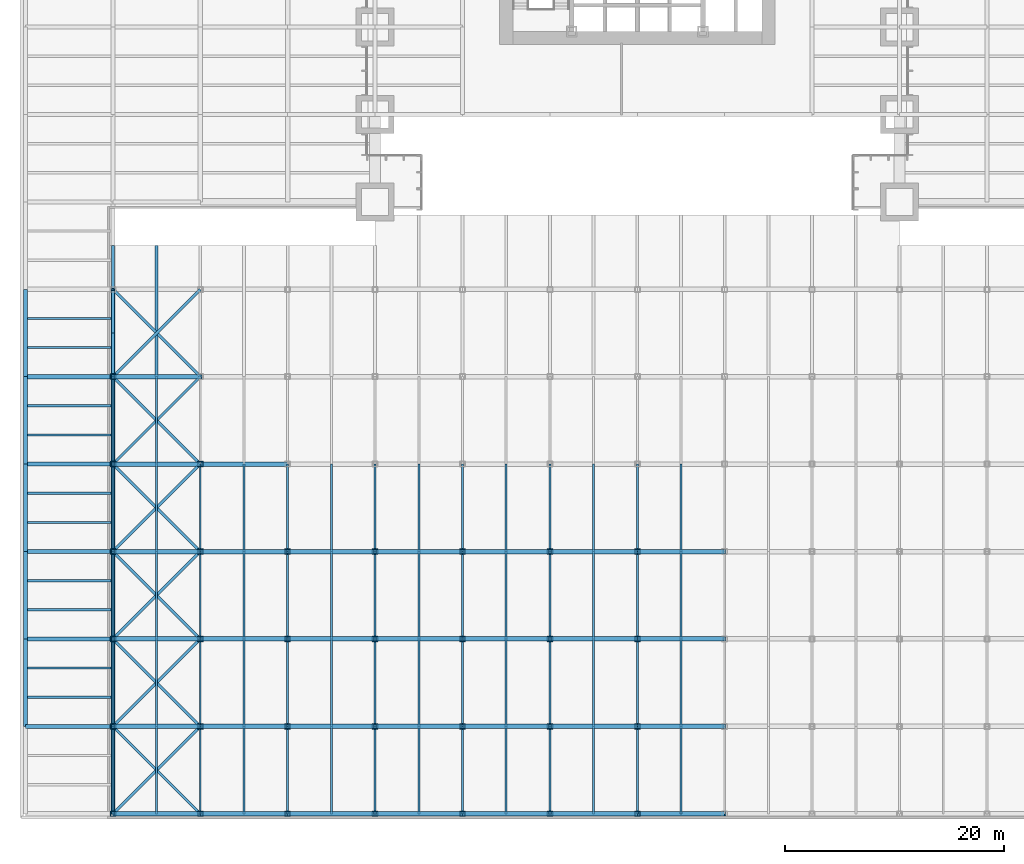
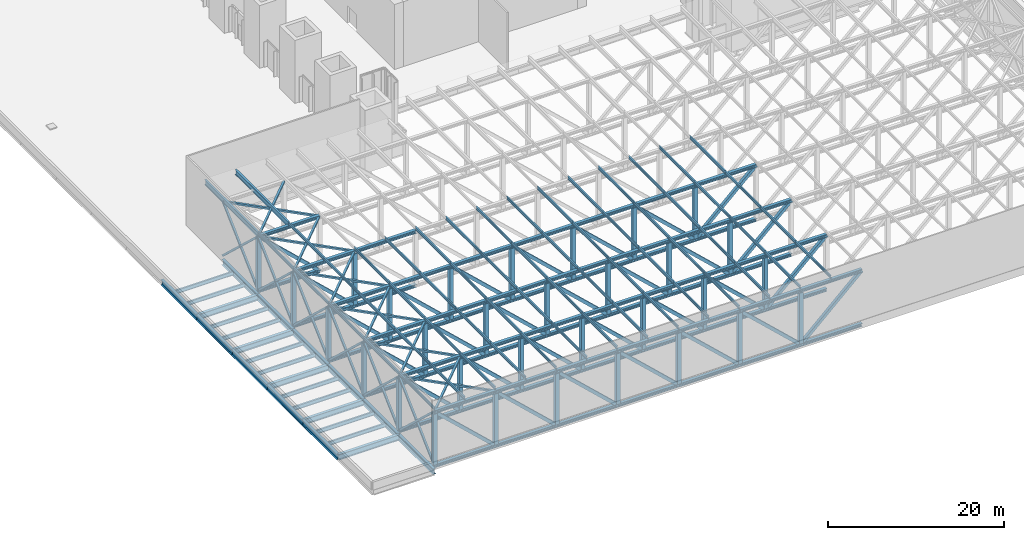
# One storey, part 2 of 20: 207 members, 26 beams.
"""IFC4 building model written with IfcOpenShell, lengths in metres."""

from ifc_helpers import new_model, si_unit, direction, frame, origin, origin_2d, place, context, subcontext, project, spatial, hollow_rectangle, i_section, extrude, material, material_profile, profile_set, type_object, element, save


model = new_model("IFC4")

# Units and contexts
model_context = context("Model", 3, precision=1e-05, world=origin(), true_north=direction((0.0, 1.0)))
body_context = subcontext(model_context, "Body", "Model", "MODEL_VIEW")
ifc_project = project(units=[si_unit("LENGTHUNIT", "METRE"), si_unit("AREAUNIT", "SQUARE_METRE"), si_unit("VOLUMEUNIT", "CUBIC_METRE"), si_unit("PLANEANGLEUNIT", "RADIAN"), si_unit("MASSUNIT", "GRAM", prefix="KILO")], contexts=[model_context])

# Site, building, storey
site_placement = place(None, origin())
site = spatial("IfcSite", under=ifc_project, at=site_placement, CompositionType="ELEMENT")
building_placement = place(site_placement, origin())
building = spatial("IfcBuilding", under=site, at=building_placement, Name="Daluyong Arena Tower", CompositionType="ELEMENT")
storey_placement = place(building_placement, frame((0.0, 0.0, 25.89990234375)))
storey = spatial("IfcBuildingStorey", under=building, at=storey_placement, Name="L05", CompositionType="ELEMENT", Elevation=25.89990234375)

# Beams
ifc_material_1 = material(Name="Steel ASTM A992 Grade 50", Category="steel")
ifc_material_profile_1 = material_profile(ifc_material_1, i_section(OverallWidth=0.209228515625, OverallDepth=0.533447265625, WebThickness=0.01025390625, FlangeThickness=0.015625, at=origin_2d()))
ifc_profile_set_1 = profile_set([ifc_material_profile_1], Name="Steel ASTM A992 Grade 50")
beam_type_1 = type_object("IfcBeamType", Name="Podium floor beam W21X62", PredefinedType="BEAM", material=ifc_profile_set_1)
for number, where, z_axis, x_axis, name in (
    (1, (0.1904296875, 10.666748046875, -0.5166015625), (1.0, 0.0, 0.0), (0.0, 1.0, 0.0), "podium floor beam PB1"),
    (2, (0.1904296875, 13.333251953125, -0.5166015625), (1.0, 0.0, 0.0), (0.0, 1.0, 0.0), "podium floor beam PB1"),
    (3, (0.1904296875, 18.666748046875, -0.5166015625), (1.0, 0.0, 0.0), (0.0, 1.0, 0.0), "podium floor beam PB1"),
    (4, (0.1904296875, 21.333251953125, -0.5166015625), (1.0, 0.0, 0.0), (0.0, 1.0, 0.0), "podium floor beam PB1"),
    (5, (0.1904296875, 26.666748046875, -0.5166015625), (1.0, 0.0, 0.0), (0.0, 1.0, 0.0), "podium floor beam PB1"),
    (6, (0.1904296875, 29.333251953125, -0.5166015625), (1.0, 0.0, 0.0), (0.0, 1.0, 0.0), "podium floor beam PB1"),
    (7, (0.1904296875, 34.666748046875, -0.5166015625), (1.0, 0.0, 0.0), (0.0, 1.0, 0.0), "podium floor beam PB1"),
    (8, (0.1904296875, 37.333251953125, -0.5166015625), (1.0, 0.0, 0.0), (0.0, 1.0, 0.0), "podium floor beam PB1"),
    (9, (0.1904296875, 42.666748046875, -0.5166015625), (1.0, 0.0, 0.0), (0.0, 1.0, 0.0), "podium floor beam PB1"),
    (10, (0.1904296875, 45.333251953125, -0.5166015625), (1.0, 0.0, 0.0), (0.0, 1.0, 0.0), "podium floor beam PB1"),
):
    element("IfcBeam", number, at=place(storey_placement, frame(where, z_axis=z_axis, x_axis=x_axis)), inside=storey, type_object=beam_type_1, Name=name, PredefinedType="BEAM", context=body_context, shape_type="SweptSolid", body=[
        extrude(i_section(OverallWidth=0.209228515625, OverallDepth=0.533447265625, WebThickness=0.01025390625, FlangeThickness=0.015625, at=origin_2d()), origin(), (0.0, 0.0, 1.0), 7.619140625),
    ])
ifc_material_2 = material(Name="Steel ASTM A992 Grade 50", Category="steel")
ifc_material_profile_2 = material_profile(ifc_material_2, i_section(OverallWidth=0.381103515625, OverallDepth=0.772216796875, WebThickness=0.0166015625, FlangeThickness=0.027099609375, at=origin_2d()))
ifc_profile_set_2 = profile_set([ifc_material_profile_2], Name="Steel ASTM A992 Grade 50")
beam_type_2 = type_object("IfcBeamType", Name="Podium girder W30X173", PredefinedType="BEAM", material=ifc_profile_set_2)
for number, where, z_axis, x_axis, name in (
    (11, (0.0, 8.0, -0.635986328125), (1.0, 0.0, 0.0), (0.0, 1.0, 0.0), "podium girder PG1"),
    (12, (0.0, 8.0, -0.635986328125), (0.0, 1.0, 0.0), (-1.0, 0.0, 0.0), "podium girder PG1"),
    (13, (0.0, 16.0, -0.635986328125), (1.0, 0.0, 0.0), (0.0, 1.0, 0.0), "podium girder PG1"),
    (14, (0.0, 16.0, -0.635986328125), (0.0, 1.0, 0.0), (-1.0, 0.0, 0.0), "podium girder PG1"),
    (15, (0.0, 24.0, -0.635986328125), (1.0, 0.0, 0.0), (0.0, 1.0, 0.0), "podium girder PG1"),
    (16, (0.0, 24.0, -0.635986328125), (0.0, 1.0, 0.0), (-1.0, 0.0, 0.0), "podium girder PG1"),
    (17, (0.0, 32.0, -0.635986328125), (1.0, 0.0, 0.0), (0.0, 1.0, 0.0), "podium girder PG1"),
    (18, (0.0, 32.0, -0.635986328125), (0.0, 1.0, 0.0), (-1.0, 0.0, 0.0), "podium girder PG1"),
    (19, (0.0, 40.0, -0.635986328125), (1.0, 0.0, 0.0), (0.0, 1.0, 0.0), "podium girder PG1"),
    (20, (0.0, 40.0, -0.635986328125), (0.0, 1.0, 0.0), (-1.0, 0.0, 0.0), "podium girder PG1"),
    (21, (8.0, 0.0, -0.635986328125), (0.0, 1.0, 0.0), (-1.0, 0.0, 0.0), "podium girder PG1"),
    (22, (8.0, 8.0, -0.635986328125), (0.0, 1.0, 0.0), (-1.0, 0.0, 0.0), "podium girder PG1"),
    (23, (8.0, 16.0, -0.635986328125), (0.0, 1.0, 0.0), (-1.0, 0.0, 0.0), "podium girder PG1"),
    (24, (8.0, 24.0, -0.635986328125), (0.0, 1.0, 0.0), (-1.0, 0.0, 0.0), "podium girder PG1"),
    (25, (8.0, 32.0, -0.635986328125), (0.0, 1.0, 0.0), (-1.0, 0.0, 0.0), "podium girder PG1"),
    (26, (8.0, 40.0, -0.635986328125), (0.0, 1.0, 0.0), (-1.0, 0.0, 0.0), "podium girder PG1"),
):
    element("IfcBeam", number, at=place(storey_placement, frame(where, z_axis=z_axis, x_axis=x_axis)), inside=storey, type_object=beam_type_2, Name=name, PredefinedType="BEAM", context=body_context, shape_type="SweptSolid", body=[
        extrude(i_section(OverallWidth=0.381103515625, OverallDepth=0.772216796875, WebThickness=0.0166015625, FlangeThickness=0.027099609375, at=origin_2d()), origin(), (0.0, 0.0, 1.0), 8.0),
    ])

# Members
ifc_material_3 = material(Name="Steel ASTM A1085", Category="steel")
ifc_material_profile_3 = material_profile(ifc_material_3, hollow_rectangle(XDim=0.25390625, YDim=0.25390625, WallThickness=0.0126953125, at=origin_2d()))
ifc_profile_set_3 = profile_set([ifc_material_profile_3], Name="Steel ASTM A1085")
member_type_1 = type_object("IfcMemberType", Name="Roof plan bracing HSS10X10X1/2", PredefinedType="BRACE", material=ifc_profile_set_3)
for number, where, z_axis, x_axis, name in (
    (27, (8.0, 0.0, 7.71728515625), (0.707106781187, 0.707106781187, 0.0), (-0.707106781187, 0.707106781187, 0.0), "roof plan bracing RX2"),
    (28, (16.0, 0.0, 7.71728515625), (-0.707106781187, 0.707106781187, 0.0), (-0.707106781187, -0.707106781187, 0.0), "roof plan bracing RX2"),
    (29, (8.0, 8.0, 7.71728515625), (0.707106781187, 0.707106781187, 0.0), (-0.707106781187, 0.707106781187, 0.0), "roof plan bracing RX2"),
    (30, (16.0, 8.0, 7.71728515625), (-0.707106781187, 0.707106781187, 0.0), (-0.707106781187, -0.707106781187, 0.0), "roof plan bracing RX2"),
    (31, (8.0, 16.0, 7.71728515625), (0.707106781187, 0.707106781187, 0.0), (-0.707106781187, 0.707106781187, 0.0), "roof plan bracing RX2"),
    (32, (16.0, 16.0, 7.71728515625), (-0.707106781187, 0.707106781187, 0.0), (-0.707106781187, -0.707106781187, 0.0), "roof plan bracing RX2"),
    (33, (8.0, 24.0, 7.71728515625), (0.707106781187, 0.707106781187, 0.0), (-0.707106781187, 0.707106781187, 0.0), "roof plan bracing RX2"),
    (34, (16.0, 24.0, 7.71728515625), (-0.707106781187, 0.707106781187, 0.0), (-0.707106781187, -0.707106781187, 0.0), "roof plan bracing RX2"),
    (35, (8.0, 32.0, 7.71728515625), (0.707106781187, 0.707106781187, 0.0), (-0.707106781187, 0.707106781187, 0.0), "roof plan bracing RX2"),
    (36, (16.0, 32.0, 7.71728515625), (-0.707106781187, 0.707106781187, 0.0), (-0.707106781187, -0.707106781187, 0.0), "roof plan bracing RX2"),
    (37, (8.0, 40.0, 7.71728515625), (0.707106781187, 0.707106781187, 0.0), (-0.707106781187, 0.707106781187, 0.0), "roof plan bracing RX2"),
    (38, (16.0, 40.0, 7.71728515625), (-0.707106781187, 0.707106781187, 0.0), (-0.707106781187, -0.707106781187, 0.0), "roof plan bracing RX2"),
):
    element("IfcMember", number, at=place(storey_placement, frame(where, z_axis=z_axis, x_axis=x_axis)), inside=storey, type_object=member_type_1, Name=name, PredefinedType="BRACE", context=body_context, shape_type="SweptSolid", body=[
        extrude(hollow_rectangle(XDim=0.25390625, YDim=0.25390625, WallThickness=0.0126953125, at=origin_2d()), origin(), (0.0, 0.0, 1.0), 11.313720703125),
    ])
ifc_material_4 = material(Name="Steel ASTM A992 Grade 50", Category="steel")
ifc_material_profile_4 = material_profile(ifc_material_4, i_section(OverallWidth=0.177734375, OverallDepth=0.406494140625, WebThickness=0.0078125, FlangeThickness=0.012939453125, at=origin_2d()))
ifc_profile_set_4 = profile_set([ifc_material_profile_4], Name="Steel ASTM A992 Grade 50")
member_type_2 = type_object("IfcMemberType", Name="Roof purlin W16X40", PredefinedType="PURLIN", material=ifc_profile_set_4)
for number, where, z_axis, x_axis, name in (
    (39, (8.0, 0.0, 8.1376953125), (0.0, 1.0, 0.0), (-1.0, 0.0, 0.0), "roof purlin RP1"),
    (40, (12.0, 0.0, 8.1376953125), (0.0, 1.0, 0.0), (-1.0, 0.0, 0.0), "roof purlin RP1"),
    (41, (16.0, 0.0, 8.1376953125), (0.0, 1.0, 0.0), (-1.0, 0.0, 0.0), "roof purlin RP1"),
    (42, (20.0, 0.0, 8.1376953125), (0.0, 1.0, 0.0), (-1.0, 0.0, 0.0), "roof purlin RP1"),
    (43, (24.0, 0.0, 8.1376953125), (0.0, 1.0, 0.0), (-1.0, 0.0, 0.0), "roof purlin RP1"),
    (44, (28.0, 0.0, 8.1376953125), (0.0, 1.0, 0.0), (-1.0, 0.0, 0.0), "roof purlin RP1"),
    (45, (32.0, 0.0, 8.1376953125), (0.0, 1.0, 0.0), (-1.0, 0.0, 0.0), "roof purlin RP1"),
    (46, (36.0, 0.0, 8.1376953125), (0.0, 1.0, 0.0), (-1.0, 0.0, 0.0), "roof purlin RP1"),
    (47, (40.0, 0.0, 8.1376953125), (0.0, 1.0, 0.0), (-1.0, 0.0, 0.0), "roof purlin RP1"),
    (48, (44.0, 0.0, 8.1376953125), (0.0, 1.0, 0.0), (-1.0, 0.0, 0.0), "roof purlin RP1"),
    (49, (48.0, 0.0, 8.1376953125), (0.0, 1.0, 0.0), (-1.0, 0.0, 0.0), "roof purlin RP1"),
    (50, (52.0, 0.0, 8.1376953125), (0.0, 1.0, 0.0), (-1.0, 0.0, 0.0), "roof purlin RP1"),
    (51, (56.0, 0.0, 8.1376953125), (0.0, 1.0, 0.0), (-1.0, 0.0, 0.0), "roof purlin RP1"),
    (52, (60.0, 0.0, 8.1376953125), (0.0, 1.0, 0.0), (-1.0, 0.0, 0.0), "roof purlin RP1"),
    (53, (8.0, 8.0, 8.1376953125), (0.0, 1.0, 0.0), (-1.0, 0.0, 0.0), "roof purlin RP1"),
    (54, (12.0, 8.0, 8.1376953125), (0.0, 1.0, 0.0), (-1.0, 0.0, 0.0), "roof purlin RP1"),
    (55, (16.0, 8.0, 8.1376953125), (0.0, 1.0, 0.0), (-1.0, 0.0, 0.0), "roof purlin RP1"),
    (56, (20.0, 8.0, 8.1376953125), (0.0, 1.0, 0.0), (-1.0, 0.0, 0.0), "roof purlin RP1"),
    (57, (24.0, 8.0, 8.1376953125), (0.0, 1.0, 0.0), (-1.0, 0.0, 0.0), "roof purlin RP1"),
    (58, (28.0, 8.0, 8.1376953125), (0.0, 1.0, 0.0), (-1.0, 0.0, 0.0), "roof purlin RP1"),
    (59, (32.0, 8.0, 8.1376953125), (0.0, 1.0, 0.0), (-1.0, 0.0, 0.0), "roof purlin RP1"),
    (60, (36.0, 8.0, 8.1376953125), (0.0, 1.0, 0.0), (-1.0, 0.0, 0.0), "roof purlin RP1"),
    (61, (40.0, 8.0, 8.1376953125), (0.0, 1.0, 0.0), (-1.0, 0.0, 0.0), "roof purlin RP1"),
    (62, (44.0, 8.0, 8.1376953125), (0.0, 1.0, 0.0), (-1.0, 0.0, 0.0), "roof purlin RP1"),
    (63, (48.0, 8.0, 8.1376953125), (0.0, 1.0, 0.0), (-1.0, 0.0, 0.0), "roof purlin RP1"),
    (64, (52.0, 8.0, 8.1376953125), (0.0, 1.0, 0.0), (-1.0, 0.0, 0.0), "roof purlin RP1"),
    (65, (56.0, 8.0, 8.1376953125), (0.0, 1.0, 0.0), (-1.0, 0.0, 0.0), "roof purlin RP1"),
    (66, (60.0, 8.0, 8.1376953125), (0.0, 1.0, 0.0), (-1.0, 0.0, 0.0), "roof purlin RP1"),
    (67, (8.0, 16.0, 8.1376953125), (0.0, 1.0, 0.0), (-1.0, 0.0, 0.0), "roof purlin RP1"),
    (68, (12.0, 16.0, 8.1376953125), (0.0, 1.0, 0.0), (-1.0, 0.0, 0.0), "roof purlin RP1"),
    (69, (16.0, 16.0, 8.1376953125), (0.0, 1.0, 0.0), (-1.0, 0.0, 0.0), "roof purlin RP1"),
    (70, (20.0, 16.0, 8.1376953125), (0.0, 1.0, 0.0), (-1.0, 0.0, 0.0), "roof purlin RP1"),
    (71, (24.0, 16.0, 8.1376953125), (0.0, 1.0, 0.0), (-1.0, 0.0, 0.0), "roof purlin RP1"),
    (72, (28.0, 16.0, 8.1376953125), (0.0, 1.0, 0.0), (-1.0, 0.0, 0.0), "roof purlin RP1"),
    (73, (32.0, 16.0, 8.1376953125), (0.0, 1.0, 0.0), (-1.0, 0.0, 0.0), "roof purlin RP1"),
    (74, (36.0, 16.0, 8.1376953125), (0.0, 1.0, 0.0), (-1.0, 0.0, 0.0), "roof purlin RP1"),
    (75, (40.0, 16.0, 8.1376953125), (0.0, 1.0, 0.0), (-1.0, 0.0, 0.0), "roof purlin RP1"),
    (76, (44.0, 16.0, 8.1376953125), (0.0, 1.0, 0.0), (-1.0, 0.0, 0.0), "roof purlin RP1"),
    (77, (48.0, 16.0, 8.1376953125), (0.0, 1.0, 0.0), (-1.0, 0.0, 0.0), "roof purlin RP1"),
    (78, (52.0, 16.0, 8.1376953125), (0.0, 1.0, 0.0), (-1.0, 0.0, 0.0), "roof purlin RP1"),
    (79, (56.0, 16.0, 8.1376953125), (0.0, 1.0, 0.0), (-1.0, 0.0, 0.0), "roof purlin RP1"),
    (80, (60.0, 16.0, 8.1376953125), (0.0, 1.0, 0.0), (-1.0, 0.0, 0.0), "roof purlin RP1"),
    (81, (8.0, 24.0, 8.1376953125), (0.0, 1.0, 0.0), (-1.0, 0.0, 0.0), "roof purlin RP1"),
    (82, (12.0, 24.0, 8.1376953125), (0.0, 1.0, 0.0), (-1.0, 0.0, 0.0), "roof purlin RP1"),
    (83, (16.0, 24.0, 8.1376953125), (0.0, 1.0, 0.0), (-1.0, 0.0, 0.0), "roof purlin RP1"),
    (84, (20.0, 24.0, 8.1376953125), (0.0, 1.0, 0.0), (-1.0, 0.0, 0.0), "roof purlin RP1"),
    (85, (24.0, 24.0, 8.1376953125), (0.0, 1.0, 0.0), (-1.0, 0.0, 0.0), "roof purlin RP1"),
    (86, (28.0, 24.0, 8.1376953125), (0.0, 1.0, 0.0), (-1.0, 0.0, 0.0), "roof purlin RP1"),
    (87, (32.0, 24.0, 8.1376953125), (0.0, 1.0, 0.0), (-1.0, 0.0, 0.0), "roof purlin RP1"),
    (88, (36.0, 24.0, 8.1376953125), (0.0, 1.0, 0.0), (-1.0, 0.0, 0.0), "roof purlin RP1"),
    (89, (40.0, 24.0, 8.1376953125), (0.0, 1.0, 0.0), (-1.0, 0.0, 0.0), "roof purlin RP1"),
    (90, (44.0, 24.0, 8.1376953125), (0.0, 1.0, 0.0), (-1.0, 0.0, 0.0), "roof purlin RP1"),
    (91, (48.0, 24.0, 8.1376953125), (0.0, 1.0, 0.0), (-1.0, 0.0, 0.0), "roof purlin RP1"),
    (92, (52.0, 24.0, 8.1376953125), (0.0, 1.0, 0.0), (-1.0, 0.0, 0.0), "roof purlin RP1"),
    (93, (56.0, 24.0, 8.1376953125), (0.0, 1.0, 0.0), (-1.0, 0.0, 0.0), "roof purlin RP1"),
    (94, (60.0, 24.0, 8.1376953125), (0.0, 1.0, 0.0), (-1.0, 0.0, 0.0), "roof purlin RP1"),
    (95, (8.0, 32.0, 8.1376953125), (0.0, 1.0, 0.0), (-1.0, 0.0, 0.0), "roof purlin RP1"),
    (96, (12.0, 32.0, 8.1376953125), (0.0, 1.0, 0.0), (-1.0, 0.0, 0.0), "roof purlin RP1"),
):
    element("IfcMember", number, at=place(storey_placement, frame(where, z_axis=z_axis, x_axis=x_axis)), inside=storey, type_object=member_type_2, Name=name, PredefinedType="PURLIN", context=body_context, shape_type="SweptSolid", body=[
        extrude(i_section(OverallWidth=0.177734375, OverallDepth=0.406494140625, WebThickness=0.0078125, FlangeThickness=0.012939453125, at=origin_2d()), origin(), (0.0, 0.0, 1.0), 8.0),
    ])
ifc_material_5 = material(Name="Steel ASTM A992 Grade 50", Category="steel")
ifc_material_profile_5 = material_profile(ifc_material_5, i_section(OverallWidth=0.25390625, OverallDepth=0.683349609375, WebThickness=0.012451171875, FlangeThickness=0.01904296875, at=origin_2d()))
ifc_profile_set_5 = profile_set([ifc_material_profile_5], Name="Steel ASTM A992 Grade 50")
member_type_3 = type_object("IfcMemberType", Name="Roof purlin W27X94", PredefinedType="PURLIN", material=ifc_profile_set_5)
for number, where, z_axis, x_axis, name in (
    (97, (8.0, 40.0, 7.999267578125), (0.0, 1.0, 0.0), (-1.0, 0.0, 0.0), "roof purlin RP2"),
    (98, (12.0, 40.0, 7.999267578125), (0.0, 1.0, 0.0), (-1.0, 0.0, 0.0), "roof purlin RP2"),
):
    element("IfcMember", number, at=place(storey_placement, frame(where, z_axis=z_axis, x_axis=x_axis)), inside=storey, type_object=member_type_3, Name=name, PredefinedType="PURLIN", context=body_context, shape_type="SweptSolid", body=[
        extrude(i_section(OverallWidth=0.25390625, OverallDepth=0.683349609375, WebThickness=0.012451171875, FlangeThickness=0.01904296875, at=origin_2d()), origin(), (0.0, 0.0, 1.0), 12.0),
    ])
ifc_material_6 = material(Name="Steel ASTM A992 Grade 50", Category="steel")
ifc_material_profile_6 = material_profile(ifc_material_6, i_section(OverallWidth=0.411376953125, OverallDepth=0.434326171875, WebThickness=0.035888671875, FlangeThickness=0.057373046875, at=origin_2d()))
ifc_profile_set_6 = profile_set([ifc_material_profile_6], Name="Steel ASTM A992 Grade 50")
member_type_4 = type_object("IfcMemberType", Name="Roof truss chord W14X311", PredefinedType="CHORD", material=ifc_profile_set_6)
for number, where, z_axis, x_axis, name in (
    (99, (8.0, 0.0, 0.21728515625), (1.0, 0.0, 0.0), (0.0, 1.0, 0.0), "roof truss chord RT1"),
    (100, (16.0, 0.0, 0.21728515625), (1.0, 0.0, 0.0), (0.0, 1.0, 0.0), "roof truss chord RT1"),
    (101, (24.0, 0.0, 0.21728515625), (1.0, 0.0, 0.0), (0.0, 1.0, 0.0), "roof truss chord RT1"),
    (102, (32.0, 0.0, 0.21728515625), (1.0, 0.0, 0.0), (0.0, 1.0, 0.0), "roof truss chord RT1"),
    (103, (40.0, 0.0, 0.21728515625), (1.0, 0.0, 0.0), (0.0, 1.0, 0.0), "roof truss chord RT1"),
    (104, (48.0, 0.0, 0.21728515625), (1.0, 0.0, 0.0), (0.0, 1.0, 0.0), "roof truss chord RT1"),
    (105, (56.0, 0.0, 0.21728515625), (1.0, 0.0, 0.0), (0.0, 1.0, 0.0), "roof truss chord RT1"),
    (106, (8.0, 0.0, 7.71728515625), (1.0, 0.0, 0.0), (0.0, 1.0, 0.0), "roof truss chord RT1"),
    (107, (16.0, 0.0, 7.71728515625), (1.0, 0.0, 0.0), (0.0, 1.0, 0.0), "roof truss chord RT1"),
    (108, (24.0, 0.0, 7.71728515625), (1.0, 0.0, 0.0), (0.0, 1.0, 0.0), "roof truss chord RT1"),
    (109, (32.0, 0.0, 7.71728515625), (1.0, 0.0, 0.0), (0.0, 1.0, 0.0), "roof truss chord RT1"),
    (110, (40.0, 0.0, 7.71728515625), (1.0, 0.0, 0.0), (0.0, 1.0, 0.0), "roof truss chord RT1"),
    (111, (48.0, 0.0, 7.71728515625), (1.0, 0.0, 0.0), (0.0, 1.0, 0.0), "roof truss chord RT1"),
    (112, (56.0, 0.0, 7.71728515625), (1.0, 0.0, 0.0), (0.0, 1.0, 0.0), "roof truss chord RT1"),
    (113, (8.0, 8.0, 0.21728515625), (1.0, 0.0, 0.0), (0.0, 1.0, 0.0), "roof truss chord RT1"),
    (114, (16.0, 8.0, 0.21728515625), (1.0, 0.0, 0.0), (0.0, 1.0, 0.0), "roof truss chord RT1"),
    (115, (24.0, 8.0, 0.21728515625), (1.0, 0.0, 0.0), (0.0, 1.0, 0.0), "roof truss chord RT1"),
    (116, (32.0, 8.0, 0.21728515625), (1.0, 0.0, 0.0), (0.0, 1.0, 0.0), "roof truss chord RT1"),
    (117, (40.0, 8.0, 0.21728515625), (1.0, 0.0, 0.0), (0.0, 1.0, 0.0), "roof truss chord RT1"),
    (118, (48.0, 8.0, 0.21728515625), (1.0, 0.0, 0.0), (0.0, 1.0, 0.0), "roof truss chord RT1"),
    (119, (56.0, 8.0, 0.21728515625), (1.0, 0.0, 0.0), (0.0, 1.0, 0.0), "roof truss chord RT1"),
    (120, (8.0, 8.0, 7.71728515625), (1.0, 0.0, 0.0), (0.0, 1.0, 0.0), "roof truss chord RT1"),
    (121, (16.0, 8.0, 7.71728515625), (1.0, 0.0, 0.0), (0.0, 1.0, 0.0), "roof truss chord RT1"),
    (122, (24.0, 8.0, 7.71728515625), (1.0, 0.0, 0.0), (0.0, 1.0, 0.0), "roof truss chord RT1"),
    (123, (32.0, 8.0, 7.71728515625), (1.0, 0.0, 0.0), (0.0, 1.0, 0.0), "roof truss chord RT1"),
    (124, (40.0, 8.0, 7.71728515625), (1.0, 0.0, 0.0), (0.0, 1.0, 0.0), "roof truss chord RT1"),
    (125, (48.0, 8.0, 7.71728515625), (1.0, 0.0, 0.0), (0.0, 1.0, 0.0), "roof truss chord RT1"),
    (126, (56.0, 8.0, 7.71728515625), (1.0, 0.0, 0.0), (0.0, 1.0, 0.0), "roof truss chord RT1"),
    (127, (8.0, 16.0, 0.21728515625), (1.0, 0.0, 0.0), (0.0, 1.0, 0.0), "roof truss chord RT1"),
    (128, (16.0, 16.0, 0.21728515625), (1.0, 0.0, 0.0), (0.0, 1.0, 0.0), "roof truss chord RT1"),
    (129, (24.0, 16.0, 0.21728515625), (1.0, 0.0, 0.0), (0.0, 1.0, 0.0), "roof truss chord RT1"),
    (130, (32.0, 16.0, 0.21728515625), (1.0, 0.0, 0.0), (0.0, 1.0, 0.0), "roof truss chord RT1"),
    (131, (40.0, 16.0, 0.21728515625), (1.0, 0.0, 0.0), (0.0, 1.0, 0.0), "roof truss chord RT1"),
    (132, (48.0, 16.0, 0.21728515625), (1.0, 0.0, 0.0), (0.0, 1.0, 0.0), "roof truss chord RT1"),
    (133, (56.0, 16.0, 0.21728515625), (1.0, 0.0, 0.0), (0.0, 1.0, 0.0), "roof truss chord RT1"),
    (134, (8.0, 16.0, 7.71728515625), (1.0, 0.0, 0.0), (0.0, 1.0, 0.0), "roof truss chord RT1"),
    (135, (16.0, 16.0, 7.71728515625), (1.0, 0.0, 0.0), (0.0, 1.0, 0.0), "roof truss chord RT1"),
    (136, (24.0, 16.0, 7.71728515625), (1.0, 0.0, 0.0), (0.0, 1.0, 0.0), "roof truss chord RT1"),
    (137, (32.0, 16.0, 7.71728515625), (1.0, 0.0, 0.0), (0.0, 1.0, 0.0), "roof truss chord RT1"),
    (138, (40.0, 16.0, 7.71728515625), (1.0, 0.0, 0.0), (0.0, 1.0, 0.0), "roof truss chord RT1"),
    (139, (48.0, 16.0, 7.71728515625), (1.0, 0.0, 0.0), (0.0, 1.0, 0.0), "roof truss chord RT1"),
    (140, (56.0, 16.0, 7.71728515625), (1.0, 0.0, 0.0), (0.0, 1.0, 0.0), "roof truss chord RT1"),
    (141, (8.0, 24.0, 0.21728515625), (1.0, 0.0, 0.0), (0.0, 1.0, 0.0), "roof truss chord RT1"),
    (142, (16.0, 24.0, 0.21728515625), (1.0, 0.0, 0.0), (0.0, 1.0, 0.0), "roof truss chord RT1"),
    (143, (24.0, 24.0, 0.21728515625), (1.0, 0.0, 0.0), (0.0, 1.0, 0.0), "roof truss chord RT1"),
    (144, (32.0, 24.0, 0.21728515625), (1.0, 0.0, 0.0), (0.0, 1.0, 0.0), "roof truss chord RT1"),
    (145, (40.0, 24.0, 0.21728515625), (1.0, 0.0, 0.0), (0.0, 1.0, 0.0), "roof truss chord RT1"),
    (146, (48.0, 24.0, 0.21728515625), (1.0, 0.0, 0.0), (0.0, 1.0, 0.0), "roof truss chord RT1"),
    (147, (56.0, 24.0, 0.21728515625), (1.0, 0.0, 0.0), (0.0, 1.0, 0.0), "roof truss chord RT1"),
    (148, (8.0, 24.0, 7.71728515625), (1.0, 0.0, 0.0), (0.0, 1.0, 0.0), "roof truss chord RT1"),
    (149, (16.0, 24.0, 7.71728515625), (1.0, 0.0, 0.0), (0.0, 1.0, 0.0), "roof truss chord RT1"),
    (150, (24.0, 24.0, 7.71728515625), (1.0, 0.0, 0.0), (0.0, 1.0, 0.0), "roof truss chord RT1"),
    (151, (32.0, 24.0, 7.71728515625), (1.0, 0.0, 0.0), (0.0, 1.0, 0.0), "roof truss chord RT1"),
    (152, (40.0, 24.0, 7.71728515625), (1.0, 0.0, 0.0), (0.0, 1.0, 0.0), "roof truss chord RT1"),
    (153, (48.0, 24.0, 7.71728515625), (1.0, 0.0, 0.0), (0.0, 1.0, 0.0), "roof truss chord RT1"),
    (154, (56.0, 24.0, 7.71728515625), (1.0, 0.0, 0.0), (0.0, 1.0, 0.0), "roof truss chord RT1"),
    (155, (8.0, 32.0, 0.21728515625), (1.0, 0.0, 0.0), (0.0, 1.0, 0.0), "roof truss chord RT1"),
    (156, (16.0, 32.0, 0.21728515625), (1.0, 0.0, 0.0), (0.0, 1.0, 0.0), "roof truss chord RT1"),
    (157, (8.0, 32.0, 7.71728515625), (1.0, 0.0, 0.0), (0.0, 1.0, 0.0), "roof truss chord RT1"),
    (158, (16.0, 32.0, 7.71728515625), (1.0, 0.0, 0.0), (0.0, 1.0, 0.0), "roof truss chord RT1"),
    (159, (8.0, 40.0, 0.21728515625), (1.0, 0.0, 0.0), (0.0, 1.0, 0.0), "roof truss chord RT1"),
    (160, (8.0, 40.0, 7.71728515625), (1.0, 0.0, 0.0), (0.0, 1.0, 0.0), "roof truss chord RT1"),
):
    element("IfcMember", number, at=place(storey_placement, frame(where, z_axis=z_axis, x_axis=x_axis)), inside=storey, type_object=member_type_4, Name=name, PredefinedType="CHORD", context=body_context, shape_type="SweptSolid", body=[
        extrude(i_section(OverallWidth=0.411376953125, OverallDepth=0.434326171875, WebThickness=0.035888671875, FlangeThickness=0.057373046875, at=origin_2d()), origin(), (0.0, 0.0, 1.0), 8.0),
    ])
ifc_material_7 = material(Name="Steel ASTM A1085", Category="steel")
ifc_material_profile_7 = material_profile(ifc_material_7, hollow_rectangle(XDim=0.406494140625, YDim=0.406494140625, WallThickness=0.015869140625, at=origin_2d()))
ifc_profile_set_7 = profile_set([ifc_material_profile_7], Name="Steel ASTM A1085")
member_type_5 = type_object("IfcMemberType", Name="Roof truss diagonal HSS16X16X5/8", PredefinedType="BRACE", material=ifc_profile_set_7)
for number, where, z_axis, x_axis, name in (
    (161, (8.0, 0.0, 7.71728515625), (0.72953720414, 0.0, -0.683941128881), (0.0, 1.0, 0.0), "roof truss diagonal RD1"),
    (162, (16.0, 0.0, 7.71728515625), (0.72953720414, 0.0, -0.683941128881), (0.0, 1.0, 0.0), "roof truss diagonal RD1"),
    (163, (24.0, 0.0, 7.71728515625), (0.72953720414, 0.0, -0.683941128881), (0.0, 1.0, 0.0), "roof truss diagonal RD1"),
    (164, (32.0, 0.0, 7.71728515625), (0.72953720414, 0.0, -0.683941128881), (0.0, 1.0, 0.0), "roof truss diagonal RD1"),
    (165, (40.0, 0.0, 7.71728515625), (0.72953720414, 0.0, -0.683941128881), (0.0, 1.0, 0.0), "roof truss diagonal RD1"),
    (166, (48.0, 0.0, 7.71728515625), (0.72953720414, 0.0, -0.683941128881), (0.0, 1.0, 0.0), "roof truss diagonal RD1"),
    (167, (56.0, 0.0, 0.21728515625), (0.72953720414, 0.0, 0.683941128881), (0.0, 1.0, 0.0), "roof truss diagonal RD1"),
    (168, (8.0, 8.0, 7.71728515625), (0.72953720414, 0.0, -0.683941128881), (0.0, 1.0, 0.0), "roof truss diagonal RD1"),
    (169, (16.0, 8.0, 7.71728515625), (0.72953720414, 0.0, -0.683941128881), (0.0, 1.0, 0.0), "roof truss diagonal RD1"),
    (170, (24.0, 8.0, 7.71728515625), (0.72953720414, 0.0, -0.683941128881), (0.0, 1.0, 0.0), "roof truss diagonal RD1"),
    (171, (32.0, 8.0, 7.71728515625), (0.72953720414, 0.0, -0.683941128881), (0.0, 1.0, 0.0), "roof truss diagonal RD1"),
    (172, (40.0, 8.0, 7.71728515625), (0.72953720414, 0.0, -0.683941128881), (0.0, 1.0, 0.0), "roof truss diagonal RD1"),
    (173, (48.0, 8.0, 7.71728515625), (0.72953720414, 0.0, -0.683941128881), (0.0, 1.0, 0.0), "roof truss diagonal RD1"),
    (174, (56.0, 8.0, 0.21728515625), (0.72953720414, 0.0, 0.683941128881), (0.0, 1.0, 0.0), "roof truss diagonal RD1"),
    (175, (8.0, 16.0, 7.71728515625), (0.72953720414, 0.0, -0.683941128881), (0.0, 1.0, 0.0), "roof truss diagonal RD1"),
    (176, (16.0, 16.0, 7.71728515625), (0.72953720414, 0.0, -0.683941128881), (0.0, 1.0, 0.0), "roof truss diagonal RD1"),
    (177, (24.0, 16.0, 7.71728515625), (0.72953720414, 0.0, -0.683941128881), (0.0, 1.0, 0.0), "roof truss diagonal RD1"),
    (178, (32.0, 16.0, 7.71728515625), (0.72953720414, 0.0, -0.683941128881), (0.0, 1.0, 0.0), "roof truss diagonal RD1"),
    (179, (40.0, 16.0, 7.71728515625), (0.72953720414, 0.0, -0.683941128881), (0.0, 1.0, 0.0), "roof truss diagonal RD1"),
    (180, (48.0, 16.0, 7.71728515625), (0.72953720414, 0.0, -0.683941128881), (0.0, 1.0, 0.0), "roof truss diagonal RD1"),
    (181, (56.0, 16.0, 0.21728515625), (0.72953720414, 0.0, 0.683941128881), (0.0, 1.0, 0.0), "roof truss diagonal RD1"),
    (182, (8.0, 24.0, 7.71728515625), (0.72953720414, 0.0, -0.683941128881), (0.0, 1.0, 0.0), "roof truss diagonal RD1"),
    (183, (16.0, 24.0, 7.71728515625), (0.72953720414, 0.0, -0.683941128881), (0.0, 1.0, 0.0), "roof truss diagonal RD1"),
    (184, (24.0, 24.0, 7.71728515625), (0.72953720414, 0.0, -0.683941128881), (0.0, 1.0, 0.0), "roof truss diagonal RD1"),
    (185, (32.0, 24.0, 7.71728515625), (0.72953720414, 0.0, -0.683941128881), (0.0, 1.0, 0.0), "roof truss diagonal RD1"),
    (186, (40.0, 24.0, 7.71728515625), (0.72953720414, 0.0, -0.683941128881), (0.0, 1.0, 0.0), "roof truss diagonal RD1"),
    (187, (48.0, 24.0, 7.71728515625), (0.72953720414, 0.0, -0.683941128881), (0.0, 1.0, 0.0), "roof truss diagonal RD1"),
    (188, (56.0, 24.0, 0.21728515625), (0.72953720414, 0.0, 0.683941128881), (0.0, 1.0, 0.0), "roof truss diagonal RD1"),
    (189, (8.0, 32.0, 7.71728515625), (0.72953720414, 0.0, -0.683941128881), (0.0, 1.0, 0.0), "roof truss diagonal RD1"),
    (190, (8.0, 40.0, 7.71728515625), (0.72953720414, 0.0, -0.683941128881), (0.0, 1.0, 0.0), "roof truss diagonal RD1"),
):
    element("IfcMember", number, at=place(storey_placement, frame(where, z_axis=z_axis, x_axis=x_axis)), inside=storey, type_object=member_type_5, Name=name, PredefinedType="BRACE", context=body_context, shape_type="SweptSolid", body=[
        extrude(hollow_rectangle(XDim=0.406494140625, YDim=0.406494140625, WallThickness=0.015869140625, at=origin_2d()), origin(), (0.0, 0.0, 1.0), 10.9658203125),
    ])
ifc_material_8 = material(Name="Steel ASTM A572 Grade 50", Category="steel")
ifc_material_profile_8 = material_profile(ifc_material_8, hollow_rectangle(XDim=0.5, YDim=0.5, WallThickness=0.04, at=origin_2d()))
ifc_profile_set_8 = profile_set([ifc_material_profile_8], Name="Steel ASTM A572 Grade 50")
member_type_6 = type_object("IfcMemberType", Name="Roof truss post BX500X40", PredefinedType="POST", material=ifc_profile_set_8)
for number, where, z_axis, x_axis, name in (
    (191, (8.0, 0.0, 0.434326171875), (0.0, 0.0, 1.0), (1.0, 0.0, 0.0), "roof truss post RV1"),
    (192, (16.0, 0.0, 0.434326171875), (0.0, 0.0, 1.0), (1.0, 0.0, 0.0), "roof truss post RV1"),
    (193, (24.0, 0.0, 0.434326171875), (0.0, 0.0, 1.0), (1.0, 0.0, 0.0), "roof truss post RV1"),
    (194, (32.0, 0.0, 0.434326171875), (0.0, 0.0, 1.0), (1.0, 0.0, 0.0), "roof truss post RV1"),
    (195, (40.0, 0.0, 0.434326171875), (0.0, 0.0, 1.0), (1.0, 0.0, 0.0), "roof truss post RV1"),
    (196, (48.0, 0.0, 0.434326171875), (0.0, 0.0, 1.0), (1.0, 0.0, 0.0), "roof truss post RV1"),
    (197, (56.0, 0.0, 0.434326171875), (0.0, 0.0, 1.0), (1.0, 0.0, 0.0), "roof truss post RV1"),
    (198, (8.0, 8.0, 0.434326171875), (0.0, 0.0, 1.0), (1.0, 0.0, 0.0), "roof truss post RV1"),
    (199, (16.0, 8.0, 0.434326171875), (0.0, 0.0, 1.0), (1.0, 0.0, 0.0), "roof truss post RV1"),
    (200, (24.0, 8.0, 0.434326171875), (0.0, 0.0, 1.0), (1.0, 0.0, 0.0), "roof truss post RV1"),
    (201, (32.0, 8.0, 0.434326171875), (0.0, 0.0, 1.0), (1.0, 0.0, 0.0), "roof truss post RV1"),
    (202, (40.0, 8.0, 0.434326171875), (0.0, 0.0, 1.0), (1.0, 0.0, 0.0), "roof truss post RV1"),
    (203, (48.0, 8.0, 0.434326171875), (0.0, 0.0, 1.0), (1.0, 0.0, 0.0), "roof truss post RV1"),
    (204, (56.0, 8.0, 0.434326171875), (0.0, 0.0, 1.0), (1.0, 0.0, 0.0), "roof truss post RV1"),
    (205, (8.0, 16.0, 0.434326171875), (0.0, 0.0, 1.0), (1.0, 0.0, 0.0), "roof truss post RV1"),
    (206, (16.0, 16.0, 0.434326171875), (0.0, 0.0, 1.0), (1.0, 0.0, 0.0), "roof truss post RV1"),
    (207, (24.0, 16.0, 0.434326171875), (0.0, 0.0, 1.0), (1.0, 0.0, 0.0), "roof truss post RV1"),
    (208, (32.0, 16.0, 0.434326171875), (0.0, 0.0, 1.0), (1.0, 0.0, 0.0), "roof truss post RV1"),
    (209, (40.0, 16.0, 0.434326171875), (0.0, 0.0, 1.0), (1.0, 0.0, 0.0), "roof truss post RV1"),
    (210, (48.0, 16.0, 0.434326171875), (0.0, 0.0, 1.0), (1.0, 0.0, 0.0), "roof truss post RV1"),
    (211, (56.0, 16.0, 0.434326171875), (0.0, 0.0, 1.0), (1.0, 0.0, 0.0), "roof truss post RV1"),
    (212, (8.0, 24.0, 0.434326171875), (0.0, 0.0, 1.0), (1.0, 0.0, 0.0), "roof truss post RV1"),
    (213, (16.0, 24.0, 0.434326171875), (0.0, 0.0, 1.0), (1.0, 0.0, 0.0), "roof truss post RV1"),
    (214, (24.0, 24.0, 0.434326171875), (0.0, 0.0, 1.0), (1.0, 0.0, 0.0), "roof truss post RV1"),
    (215, (32.0, 24.0, 0.434326171875), (0.0, 0.0, 1.0), (1.0, 0.0, 0.0), "roof truss post RV1"),
    (216, (40.0, 24.0, 0.434326171875), (0.0, 0.0, 1.0), (1.0, 0.0, 0.0), "roof truss post RV1"),
    (217, (48.0, 24.0, 0.434326171875), (0.0, 0.0, 1.0), (1.0, 0.0, 0.0), "roof truss post RV1"),
    (218, (56.0, 24.0, 0.434326171875), (0.0, 0.0, 1.0), (1.0, 0.0, 0.0), "roof truss post RV1"),
    (219, (8.0, 32.0, 0.434326171875), (0.0, 0.0, 1.0), (1.0, 0.0, 0.0), "roof truss post RV1"),
    (220, (16.0, 32.0, 0.434326171875), (0.0, 0.0, 1.0), (1.0, 0.0, 0.0), "roof truss post RV1"),
    (221, (8.0, 40.0, 0.434326171875), (0.0, 0.0, 1.0), (1.0, 0.0, 0.0), "roof truss post RV1"),
):
    element("IfcMember", number, at=place(storey_placement, frame(where, z_axis=z_axis, x_axis=x_axis)), inside=storey, type_object=member_type_6, Name=name, PredefinedType="POST", context=body_context, shape_type="SweptSolid", body=[
        extrude(hollow_rectangle(XDim=0.5, YDim=0.5, WallThickness=0.04, at=origin_2d()), origin(), (0.0, 0.0, 1.0), 7.065673828125),
    ])
ifc_material_9 = material(Name="Steel ASTM A1085", Category="steel")
ifc_material_profile_9 = material_profile(ifc_material_9, hollow_rectangle(XDim=0.25390625, YDim=0.25390625, WallThickness=0.0126953125, at=origin_2d()))
ifc_profile_set_9 = profile_set([ifc_material_profile_9], Name="Steel ASTM A1085")
member_type_7 = type_object("IfcMemberType", Name="Roof vertical bracing HSS10X10X1/2", PredefinedType="BRACE", material=ifc_profile_set_9)
for number, where, z_axis, x_axis, name in (
    (222, (8.0, 0.0, 0.21728515625), (0.0, 0.72953720414, 0.683941128881), (-1.0, 0.0, 0.0), "roof vertical bracing RX1"),
    (223, (8.0, 0.0, 7.71728515625), (0.0, 0.72953720414, -0.683941128881), (-1.0, 0.0, 0.0), "roof vertical bracing RX1"),
    (224, (8.0, 8.0, 0.21728515625), (0.0, 0.72953720414, 0.683941128881), (-1.0, 0.0, 0.0), "roof vertical bracing RX1"),
    (225, (8.0, 8.0, 7.71728515625), (0.0, 0.72953720414, -0.683941128881), (-1.0, 0.0, 0.0), "roof vertical bracing RX1"),
    (226, (8.0, 16.0, 0.21728515625), (0.0, 0.72953720414, 0.683941128881), (-1.0, 0.0, 0.0), "roof vertical bracing RX1"),
    (227, (8.0, 16.0, 7.71728515625), (0.0, 0.72953720414, -0.683941128881), (-1.0, 0.0, 0.0), "roof vertical bracing RX1"),
    (228, (8.0, 24.0, 0.21728515625), (0.0, 0.72953720414, 0.683941128881), (-1.0, 0.0, 0.0), "roof vertical bracing RX1"),
    (229, (8.0, 24.0, 7.71728515625), (0.0, 0.72953720414, -0.683941128881), (-1.0, 0.0, 0.0), "roof vertical bracing RX1"),
    (230, (8.0, 32.0, 0.21728515625), (0.0, 0.72953720414, 0.683941128881), (-1.0, 0.0, 0.0), "roof vertical bracing RX1"),
    (231, (8.0, 32.0, 7.71728515625), (0.0, 0.72953720414, -0.683941128881), (-1.0, 0.0, 0.0), "roof vertical bracing RX1"),
    (232, (8.0, 40.0, 0.21728515625), (0.0, 0.72953720414, 0.683941128881), (-1.0, 0.0, 0.0), "roof vertical bracing RX1"),
    (233, (8.0, 40.0, 7.71728515625), (0.0, 0.72953720414, -0.683941128881), (-1.0, 0.0, 0.0), "roof vertical bracing RX1"),
):
    element("IfcMember", number, at=place(storey_placement, frame(where, z_axis=z_axis, x_axis=x_axis)), inside=storey, type_object=member_type_7, Name=name, PredefinedType="BRACE", context=body_context, shape_type="SweptSolid", body=[
        extrude(hollow_rectangle(XDim=0.25390625, YDim=0.25390625, WallThickness=0.0126953125, at=origin_2d()), origin(), (0.0, 0.0, 1.0), 10.9658203125),
    ])

save(model, "model.ifc")
